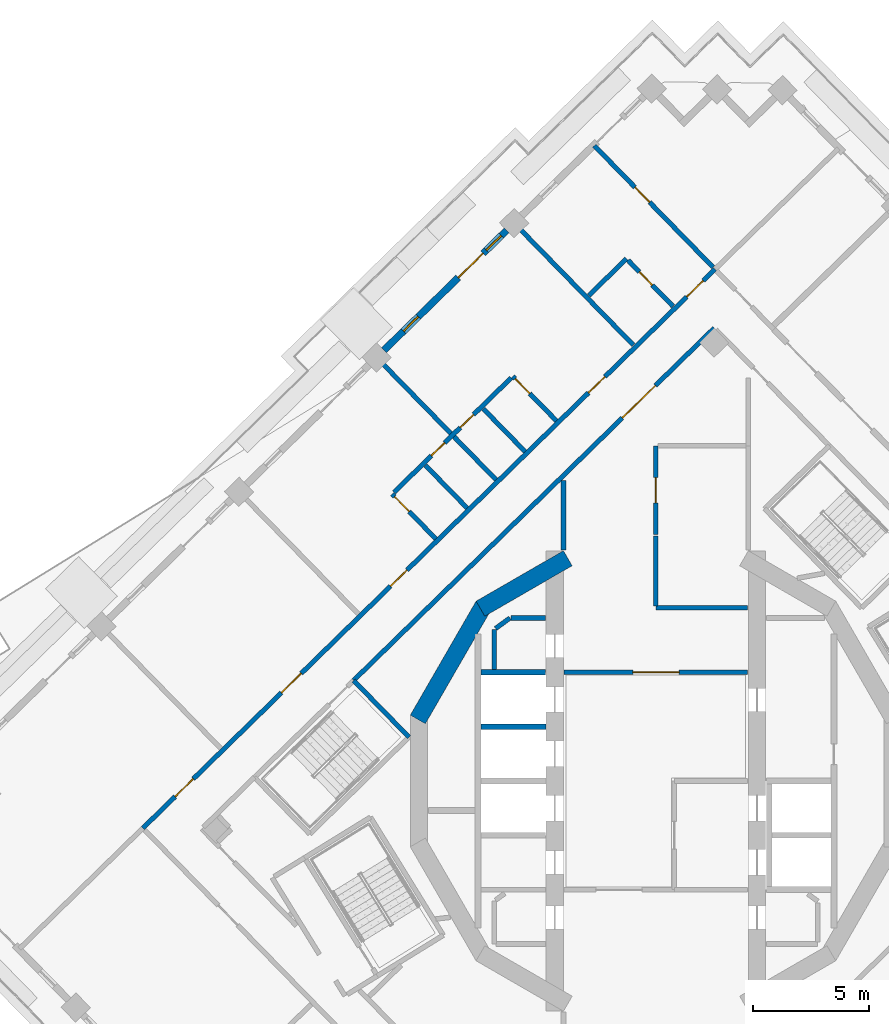
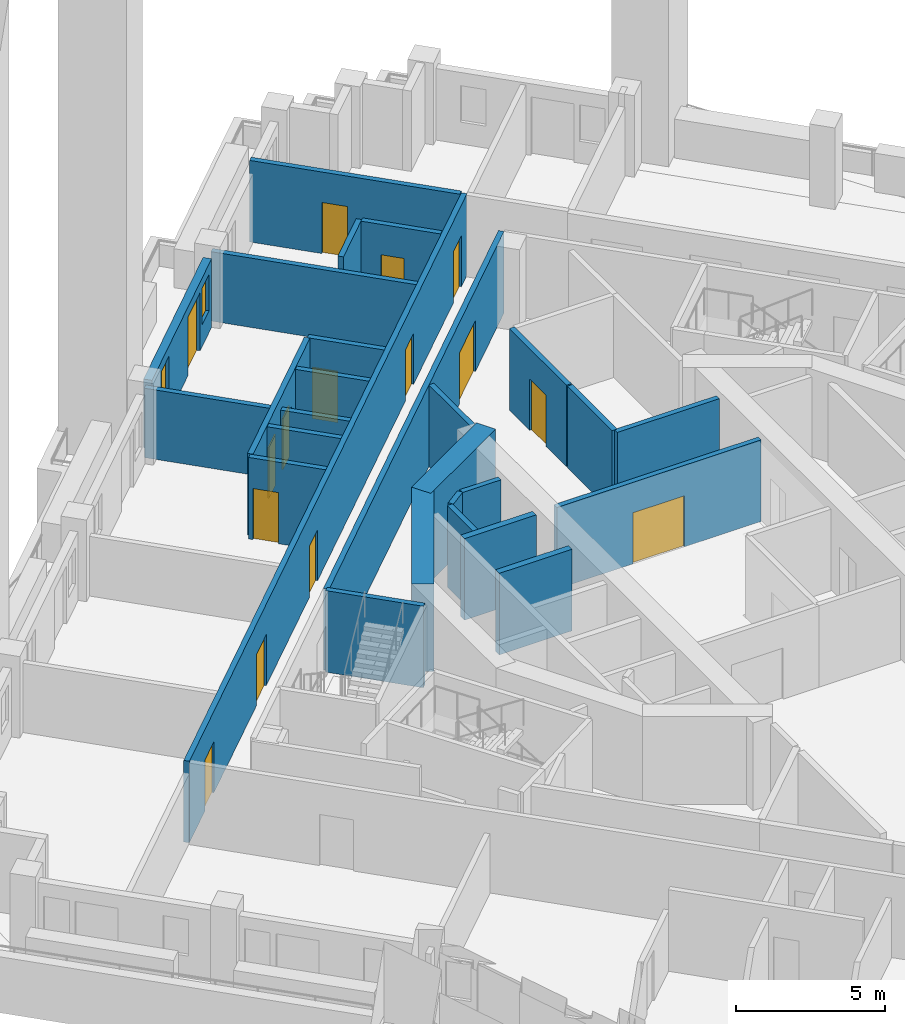
# One storey, part 7 of 17: 26 walls, 15 doors, 2 windows, 17 openings.
"""IFC4 building model written with IfcOpenShell, lengths in metres."""

from ifc_helpers import new_model, si_unit, direction, frame, frame_2d, origin, place, context, subcontext, project, spatial, rectangle, extrude, material, layer, layer_set, type_object, element, fill, save


model = new_model("IFC4")

# Units and contexts
model_context = context("Model", 3, precision=1e-05, world=origin(), true_north=direction((0.0, 1.0)))
body_context = subcontext(model_context, "Body", "Model", "MODEL_VIEW")
ifc_project = project(units=[si_unit("LENGTHUNIT", "METRE"), si_unit("AREAUNIT", "SQUARE_METRE"), si_unit("VOLUMEUNIT", "CUBIC_METRE"), si_unit("PLANEANGLEUNIT", "RADIAN"), si_unit("MASSUNIT", "GRAM", prefix="KILO")], contexts=[model_context])

# Site, building, storey
site_placement = place(None, origin())
site = spatial("IfcSite", under=ifc_project, at=site_placement, CompositionType="ELEMENT")
building_placement = place(site_placement, origin())
building = spatial("IfcBuilding", under=site, at=building_placement, Name="Cantera Rosa Tower", CompositionType="ELEMENT")
storey_placement = place(building_placement, frame((0.0, 0.0, 205.39990234375)))
storey = spatial("IfcBuildingStorey", under=building, at=storey_placement, Name="L43", CompositionType="ELEMENT", Elevation=205.39990234375)

# Wall
ifc_material_1 = material(Name="Gypsum board partition")
ifc_layer_1 = layer(ifc_material_1, 0.199951171875)
ifc_layer_set_1 = layer_set([ifc_layer_1], Name="CORRIDOR WALL 200 H3350")
wall_type_1 = type_object("IfcWallType", Name="CORRIDOR WALL 200 H3350", PredefinedType="PARTITIONING", material=ifc_layer_set_1)
wall_1_placement = place(storey_placement, frame((-4.0, 9.994140625, 0.0), z_axis=(0.0, 0.0, 1.0), x_axis=(0.0, 1.0, 0.0)))
element("IfcWall", 1, at=wall_1_placement, inside=storey, type_object=wall_type_1, Name="CORRIDOR WALL L43-058", PredefinedType="PARTITIONING", context=body_context, shape_type="SweptSolid", body=[
    extrude(rectangle(XDim=3.00390625, YDim=0.199951171875, at=frame_2d((1.501953125, 0.0))), origin(), (0.0, 0.0, 1.0), 3.35009765625),
])

# Wall, opening, door
wall_2_placement = place(storey_placement, frame((-3.969970703125, 4.699951171875, 0.0), z_axis=(0.0, 0.0, 1.0), x_axis=(1.0, 0.0, 0.0)))
wall_2 = element("IfcWall", 2, at=wall_2_placement, inside=storey, type_object=wall_type_1, Name="CORRIDOR WALL L43-059", PredefinedType="PARTITIONING", context=body_context, shape_type="SweptSolid", body=[
    extrude(rectangle(XDim=7.93994140625, YDim=0.199951171875, at=frame_2d((3.969970703125, 0.0))), origin(), (0.0, 0.0, 1.0), 3.35009765625),
])
opening_1_placement = place(wall_2_placement, frame((2.969970703125, 0.0, 0.0)))
opening_1 = element("IfcOpeningElement", 3, at=opening_1_placement, cuts=wall_2, Name="Opening L43-013", PredefinedType="OPENING", context=body_context, shape_type="SweptSolid", body=[
    extrude(rectangle(XDim=2.0, YDim=2.10009765625, at=frame_2d((1.0, 1.050048828125))), frame((0.0, 0.10986328125, 0.0), z_axis=(0.0, -1.0, 0.0), x_axis=(1.0, 0.0, 0.0)), (0.0, 0.0, 1.0), 0.219970703125),
])
ifc_material_2 = material(Name="Steel S355J2 (EN 10025-2)", Category="steel")
door_type_1 = type_object("IfcDoorType", Name="LOBBY SCREEN DOOR 2000x2100", OperationType="NOTDEFINED", PredefinedType="DOOR", material=ifc_material_2)
door_1_placement = place(opening_1_placement, origin())
door_1 = element("IfcDoor", 4, at=door_1_placement, inside=storey, type_object=door_type_1, Name="DOOR L43-013", OperationType="NOTDEFINED", OverallHeight=2.10009765625, OverallWidth=2.0, PredefinedType="DOOR", context=body_context, shape_type="SweptSolid", body=[
    extrude(rectangle(XDim=2.0, YDim=2.10009765625, at=frame_2d((1.0, 1.050048828125))), frame((0.0, 0.02490234375, 0.0), z_axis=(0.0, -1.0, 0.0), x_axis=(1.0, 0.0, 0.0)), (0.0, 0.0, 1.0), 0.050048828125),
])
fill(opening_1, door_1)

# Walls
wall_3_placement = place(storey_placement, frame((0.0, 7.5, 0.0), z_axis=(0.0, 0.0, 1.0), x_axis=(1.0, 0.0, 0.0)))
element("IfcWall", 5, at=wall_3_placement, inside=storey, type_object=wall_type_1, Name="CORRIDOR WALL L43-065", PredefinedType="PARTITIONING", context=body_context, shape_type="SweptSolid", body=[
    extrude(rectangle(XDim=3.969970703125, YDim=0.199951171875, at=frame_2d((1.98486328125, 0.0))), origin(), (0.0, 0.0, 1.0), 3.35009765625),
])
wall_4_placement = place(storey_placement, frame((0.0, 10.59521484375, 0.0), z_axis=(0.0, 0.0, 1.0), x_axis=(0.0, -1.0, 0.0)))
element("IfcWall", 6, at=wall_4_placement, inside=storey, type_object=wall_type_1, Name="CORRIDOR WALL L43-066", PredefinedType="PARTITIONING", context=body_context, shape_type="SweptSolid", body=[
    extrude(rectangle(XDim=3.01513671875, YDim=0.199951171875, at=frame_2d((1.507568359375, 0.0))), origin(), (0.0, 0.0, 1.0), 3.35009765625),
])

# Wall, opening, door
wall_5_placement = place(storey_placement, frame((0.0, 14.5, 0.0), z_axis=(0.0, 0.0, 1.0), x_axis=(0.0, -1.0, 0.0)))
wall_5 = element("IfcWall", 7, at=wall_5_placement, inside=storey, type_object=wall_type_1, Name="CORRIDOR WALL L43-067", PredefinedType="PARTITIONING", context=body_context, shape_type="SweptSolid", body=[
    extrude(rectangle(XDim=3.8447265625, YDim=0.199951171875, at=frame_2d((1.92236328125, 0.0))), origin(), (0.0, 0.0, 1.0), 3.35009765625),
])
opening_2_placement = place(wall_5_placement, frame((1.372314453125, 0.0, 0.0)))
opening_2 = element("IfcOpeningElement", 8, at=opening_2_placement, cuts=wall_5, Name="Opening L43-017", PredefinedType="OPENING", context=body_context, shape_type="SweptSolid", body=[
    extrude(rectangle(XDim=1.10009765625, YDim=2.10009765625, at=frame_2d((0.550048828125, 1.050048828125))), frame((0.0, 0.10986328125, 0.0), z_axis=(0.0, -1.0, 0.0), x_axis=(1.0, 0.0, 0.0)), (0.0, 0.0, 1.0), 0.219970703125),
])
ifc_material_3 = material(Name="Timber door leaf", Category="wood")
door_type_2 = type_object("IfcDoorType", Name="ROOM DOOR 1100x2100", OperationType="NOTDEFINED", PredefinedType="DOOR", material=ifc_material_3)
door_2_placement = place(opening_2_placement, origin())
door_2 = element("IfcDoor", 9, at=door_2_placement, inside=storey, type_object=door_type_2, Name="DOOR L43-017", OperationType="NOTDEFINED", OverallHeight=2.10009765625, OverallWidth=1.10009765625, PredefinedType="DOOR", context=body_context, shape_type="SweptSolid", body=[
    extrude(rectangle(XDim=1.10009765625, YDim=2.10009765625, at=frame_2d((0.550048828125, 1.050048828125))), frame((0.0, 0.02490234375, 0.0), z_axis=(0.0, -1.0, 0.0), x_axis=(1.0, 0.0, 0.0)), (0.0, 0.0, 1.0), 0.050048828125),
])
fill(opening_2, door_2)

wall_6_placement = place(storey_placement, frame((2.5263671875, 19.593994140625, 0.0), z_axis=(0.0, 0.0, 1.0), x_axis=(-0.715295644999, -0.698821966059, 0.0)))
wall_6 = element("IfcWall", 10, at=wall_6_placement, inside=storey, type_object=wall_type_1, Name="CORRIDOR WALL L43-072", PredefinedType="PARTITIONING", context=body_context, shape_type="SweptSolid", body=[
    extrude(rectangle(XDim=21.815185546875, YDim=0.199951171875, at=frame_2d((10.90771484375, 0.0))), origin(), (0.0, 0.0, 1.0), 3.35009765625),
])
opening_3_placement = place(wall_6_placement, frame((3.56201171875, 0.0, 0.0)))
opening_3 = element("IfcOpeningElement", 11, at=opening_3_placement, cuts=wall_6, Name="Opening L43-012", PredefinedType="OPENING", context=body_context, shape_type="SweptSolid", body=[
    extrude(rectangle(XDim=2.0, YDim=2.10009765625, at=frame_2d((1.0, 1.050048828125))), frame((0.0, 0.10986328125, 0.0), z_axis=(0.0, -1.0, 0.0), x_axis=(1.0, 0.0, 0.0)), (0.0, 0.0, 1.0), 0.219970703125),
])
door_3_placement = place(opening_3_placement, origin())
door_3 = element("IfcDoor", 12, at=door_3_placement, inside=storey, type_object=door_type_1, Name="DOOR L43-012", OperationType="NOTDEFINED", OverallHeight=2.10009765625, OverallWidth=2.0, PredefinedType="DOOR", context=body_context, shape_type="SweptSolid", body=[
    extrude(rectangle(XDim=2.0, YDim=2.10009765625, at=frame_2d((1.0, 1.050048828125))), frame((0.0, 0.02490234375, 0.0), z_axis=(0.0, -1.0, 0.0), x_axis=(1.0, 0.0, 0.0)), (0.0, 0.0, 1.0), 0.050048828125),
])
fill(opening_3, door_3)

# Wall, openings, doors
wall_7_placement = place(storey_placement, frame((2.555908203125, 22.1396484375, 0.0), z_axis=(0.0, 0.0, 1.0), x_axis=(-0.715286274513, -0.698831557311, 0.0)))
wall_7 = element("IfcWall", 13, at=wall_7_placement, inside=storey, type_object=wall_type_1, Name="CORRIDOR WALL L43-073", PredefinedType="PARTITIONING", context=body_context, shape_type="SweptSolid", body=[
    extrude(rectangle(XDim=34.60009765625, YDim=0.199951171875, at=frame_2d((17.300048828125, 0.0))), origin(), (0.0, 0.0, 1.0), 3.35009765625),
])
opening_4_placement = place(wall_7_placement, frame((6.655029296875, 0.0, 0.0)))
opening_4 = element("IfcOpeningElement", 14, at=opening_4_placement, cuts=wall_7, Name="Opening L43-027", PredefinedType="OPENING", context=body_context, shape_type="SweptSolid", body=[
    extrude(rectangle(XDim=1.0, YDim=2.10009765625, at=frame_2d((0.5, 1.050048828125))), frame((0.0, 0.10986328125, 0.0), z_axis=(0.0, -1.0, 0.0), x_axis=(1.0, 0.0, 0.0)), (0.0, 0.0, 1.0), 0.219970703125),
])
opening_5_placement = place(wall_7_placement, frame((18.625, 0.0, 0.0)))
opening_5 = element("IfcOpeningElement", 15, at=opening_5_placement, cuts=wall_7, Name="Opening L43-030", PredefinedType="OPENING", context=body_context, shape_type="SweptSolid", body=[
    extrude(rectangle(XDim=1.0, YDim=2.10009765625, at=frame_2d((0.5, 1.050048828125))), frame((0.0, 0.10986328125, 0.0), z_axis=(0.0, -1.0, 0.0), x_axis=(1.0, 0.0, 0.0)), (0.0, 0.0, 1.0), 0.219970703125),
])
opening_6_placement = place(wall_7_placement, frame((25.02001953125, 0.0, 0.0)))
opening_6 = element("IfcOpeningElement", 16, at=opening_6_placement, cuts=wall_7, Name="Opening L43-033", PredefinedType="OPENING", context=body_context, shape_type="SweptSolid", body=[
    extrude(rectangle(XDim=1.199951171875, YDim=2.10009765625, at=frame_2d((0.60009765625, 1.050048828125))), frame((0.0, 0.10986328125, 0.0), z_axis=(0.0, -1.0, 0.0), x_axis=(1.0, 0.0, 0.0)), (0.0, 0.0, 1.0), 0.219970703125),
])
opening_7_placement = place(wall_7_placement, frame((0.7099609375, 0.0, 0.0)))
opening_7 = element("IfcOpeningElement", 17, at=opening_7_placement, cuts=wall_7, Name="Opening L43-034", PredefinedType="OPENING", context=body_context, shape_type="SweptSolid", body=[
    extrude(rectangle(XDim=1.0, YDim=2.10009765625, at=frame_2d((0.5, 1.050048828125))), frame((0.0, 0.10986328125, 0.0), z_axis=(0.0, -1.0, 0.0), x_axis=(1.0, 0.0, 0.0)), (0.0, 0.0, 1.0), 0.219970703125),
])
opening_8_placement = place(wall_7_placement, frame((31.550048828125, 0.0, 0.0)))
opening_8 = element("IfcOpeningElement", 18, at=opening_8_placement, cuts=wall_7, Name="Opening L43-037", PredefinedType="OPENING", context=body_context, shape_type="SweptSolid", body=[
    extrude(rectangle(XDim=1.10009765625, YDim=2.10009765625, at=frame_2d((0.550048828125, 1.050048828125))), frame((0.0, 0.10986328125, 0.0), z_axis=(0.0, -1.0, 0.0), x_axis=(1.0, 0.0, 0.0)), (0.0, 0.0, 1.0), 0.219970703125),
])
ifc_material_4 = material(Name="Timber door leaf", Category="wood")
door_type_3 = type_object("IfcDoorType", Name="ENTRANCE DOOR 1000x2100", OperationType="NOTDEFINED", PredefinedType="DOOR", material=ifc_material_4)
door_4_placement = place(opening_4_placement, origin())
door_4 = element("IfcDoor", 19, at=door_4_placement, inside=storey, type_object=door_type_3, Name="DOOR L43-027", OperationType="NOTDEFINED", OverallHeight=2.10009765625, OverallWidth=1.0, PredefinedType="DOOR", context=body_context, shape_type="SweptSolid", body=[
    extrude(rectangle(XDim=1.0, YDim=2.10009765625, at=frame_2d((0.5, 1.050048828125))), frame((0.0, 0.02490234375, 0.0), z_axis=(0.0, -1.0, 0.0), x_axis=(1.0, 0.0, 0.0)), (0.0, 0.0, 1.0), 0.050048828125),
])
fill(opening_4, door_4)
door_5_placement = place(opening_5_placement, origin())
door_5 = element("IfcDoor", 20, at=door_5_placement, inside=storey, type_object=door_type_3, Name="DOOR L43-030", OperationType="NOTDEFINED", OverallHeight=2.10009765625, OverallWidth=1.0, PredefinedType="DOOR", context=body_context, shape_type="SweptSolid", body=[
    extrude(rectangle(XDim=1.0, YDim=2.10009765625, at=frame_2d((0.5, 1.050048828125))), frame((0.0, 0.02490234375, 0.0), z_axis=(0.0, -1.0, 0.0), x_axis=(1.0, 0.0, 0.0)), (0.0, 0.0, 1.0), 0.050048828125),
])
fill(opening_5, door_5)
door_6_placement = place(opening_7_placement, origin())
door_6 = element("IfcDoor", 21, at=door_6_placement, inside=storey, type_object=door_type_3, Name="DOOR L43-034", OperationType="NOTDEFINED", OverallHeight=2.10009765625, OverallWidth=1.0, PredefinedType="DOOR", context=body_context, shape_type="SweptSolid", body=[
    extrude(rectangle(XDim=1.0, YDim=2.10009765625, at=frame_2d((0.5, 1.050048828125))), frame((0.0, 0.02490234375, 0.0), z_axis=(0.0, -1.0, 0.0), x_axis=(1.0, 0.0, 0.0)), (0.0, 0.0, 1.0), 0.050048828125),
])
fill(opening_7, door_6)
door_7_placement = place(opening_8_placement, origin())
door_7 = element("IfcDoor", 22, at=door_7_placement, inside=storey, type_object=door_type_2, Name="DOOR L43-037", OperationType="NOTDEFINED", OverallHeight=2.10009765625, OverallWidth=1.10009765625, PredefinedType="DOOR", context=body_context, shape_type="SweptSolid", body=[
    extrude(rectangle(XDim=1.10009765625, YDim=2.10009765625, at=frame_2d((0.550048828125, 1.050048828125))), frame((0.0, 0.02490234375, 0.0), z_axis=(0.0, -1.0, 0.0), x_axis=(1.0, 0.0, 0.0)), (0.0, 0.0, 1.0), 0.050048828125),
])
fill(opening_8, door_7)
ifc_material_5 = material(Name="Timber door leaf", Category="wood")
door_type_4 = type_object("IfcDoorType", Name="ROOM DOOR 1200x2100", OperationType="NOTDEFINED", PredefinedType="DOOR", material=ifc_material_5)
door_8_placement = place(opening_6_placement, origin())
door_8 = element("IfcDoor", 23, at=door_8_placement, inside=storey, type_object=door_type_4, Name="DOOR L43-033", OperationType="NOTDEFINED", OverallHeight=2.10009765625, OverallWidth=1.199951171875, PredefinedType="DOOR", context=body_context, shape_type="SweptSolid", body=[
    extrude(rectangle(XDim=1.199951171875, YDim=2.10009765625, at=frame_2d((0.60009765625, 1.050048828125))), frame((0.0, 0.02490234375, 0.0), z_axis=(0.0, -1.0, 0.0), x_axis=(1.0, 0.0, 0.0)), (0.0, 0.0, 1.0), 0.050048828125),
])
fill(opening_6, door_8)

# Wall, openings, windows, door
ifc_material_6 = material(Name="Hollow clay masonry with cantera stone cladding", Category="masonry")
ifc_layer_2 = layer(ifc_material_6, 0.300048828125)
ifc_layer_set_2 = layer_set([ifc_layer_2], Name="EW-LOGGIA 300 H2820")
wall_type_2 = type_object("IfcWallType", Name="EW-LOGGIA 300 H2820", PredefinedType="SOLIDWALL", material=ifc_layer_set_2)
wall_8_placement = place(storey_placement, frame((-6.454833984375, 23.8212890625, 0.0), z_axis=(0.0, 0.0, 1.0), x_axis=(-0.715300826176, -0.698816662703, 0.0)))
wall_8 = element("IfcWall", 24, at=wall_8_placement, inside=storey, type_object=wall_type_2, Name="EN-L43-W08", PredefinedType="SOLIDWALL", context=body_context, shape_type="SweptSolid", body=[
    extrude(rectangle(XDim=7.420166015625, YDim=0.300048828125, at=frame_2d((3.7099609375, 0.0))), origin(), (0.0, 0.0, 1.0), 2.820068359375),
])
opening_9_placement = place(wall_8_placement, frame((0.330078125, 0.0, 0.89990234375)))
opening_9 = element("IfcOpeningElement", 25, at=opening_9_placement, cuts=wall_8, Name="Opening L43-W10", PredefinedType="OPENING", context=body_context, shape_type="SweptSolid", body=[
    extrude(rectangle(XDim=0.89990234375, YDim=1.5, at=frame_2d((0.449951171875, 0.75))), frame((0.0, 0.159912109375, 0.0), z_axis=(0.0, -1.0, 0.0), x_axis=(1.0, 0.0, 0.0)), (0.0, 0.0, 1.0), 0.320068359375),
])
opening_10_placement = place(wall_8_placement, frame((1.429931640625, 0.0, 0.0)))
opening_10 = element("IfcOpeningElement", 26, at=opening_10_placement, cuts=wall_8, Name="Opening L43-TD11", PredefinedType="OPENING", context=body_context, shape_type="SweptSolid", body=[
    extrude(rectangle(XDim=1.5, YDim=2.39990234375, at=frame_2d((0.75, 1.199951171875))), frame((0.0, 0.159912109375, 0.0), z_axis=(0.0, -1.0, 0.0), x_axis=(1.0, 0.0, 0.0)), (0.0, 0.0, 1.0), 0.320068359375),
])
opening_11_placement = place(wall_8_placement, frame((5.340087890625, 0.0, 0.89990234375)))
opening_11 = element("IfcOpeningElement", 27, at=opening_11_placement, cuts=wall_8, Name="Opening L43-W12", PredefinedType="OPENING", context=body_context, shape_type="SweptSolid", body=[
    extrude(rectangle(XDim=0.89990234375, YDim=1.5, at=frame_2d((0.449951171875, 0.75))), frame((0.0, 0.159912109375, 0.0), z_axis=(0.0, -1.0, 0.0), x_axis=(1.0, 0.0, 0.0)), (0.0, 0.0, 1.0), 0.320068359375),
])
ifc_material_7 = material(Name="Aluminium frame with clear glass", Category="aluminium")
window_type = type_object("IfcWindowType", Name="Residential window 900x1500", PartitioningType="SINGLE_PANEL", PredefinedType="WINDOW", material=ifc_material_7)
window_1_placement = place(opening_9_placement, origin())
window_1 = element("IfcWindow", 28, at=window_1_placement, inside=storey, type_object=window_type, Name="WINDOW L43-W10", OverallHeight=1.5, OverallWidth=0.89990234375, PartitioningType="SINGLE_PANEL", PredefinedType="WINDOW", context=body_context, shape_type="SweptSolid", body=[
    extrude(rectangle(XDim=0.89990234375, YDim=1.5, at=frame_2d((0.449951171875, 0.75))), frame((0.0, 0.030029296875, 0.0), z_axis=(0.0, -1.0, 0.0), x_axis=(1.0, 0.0, 0.0)), (0.0, 0.0, 1.0), 0.06005859375),
])
fill(opening_9, window_1)
window_2_placement = place(opening_11_placement, origin())
window_2 = element("IfcWindow", 29, at=window_2_placement, inside=storey, type_object=window_type, Name="WINDOW L43-W12", OverallHeight=1.5, OverallWidth=0.89990234375, PartitioningType="SINGLE_PANEL", PredefinedType="WINDOW", context=body_context, shape_type="SweptSolid", body=[
    extrude(rectangle(XDim=0.89990234375, YDim=1.5, at=frame_2d((0.449951171875, 0.75))), frame((0.0, 0.030029296875, 0.0), z_axis=(0.0, -1.0, 0.0), x_axis=(1.0, 0.0, 0.0)), (0.0, 0.0, 1.0), 0.06005859375),
])
fill(opening_11, window_2)
ifc_material_8 = material(Name="Aluminium frame with clear glass", Category="aluminium")
door_type_5 = type_object("IfcDoorType", Name="TD-R 1500x2400", OperationType="NOTDEFINED", PredefinedType="DOOR", material=ifc_material_8)
door_9_placement = place(opening_10_placement, origin())
door_9 = element("IfcDoor", 30, at=door_9_placement, inside=storey, type_object=door_type_5, Name="LOGGIA DOOR L43-TD11", OperationType="SLIDING_TO_LEFT", OverallHeight=2.39990234375, OverallWidth=1.5, PredefinedType="DOOR", context=body_context, shape_type="SweptSolid", body=[
    extrude(rectangle(XDim=1.5, YDim=2.39990234375, at=frame_2d((0.75, 1.199951171875))), frame((0.0, 0.02490234375, 0.0), z_axis=(0.0, -1.0, 0.0), x_axis=(1.0, 0.0, 0.0)), (0.0, 0.0, 1.0), 0.050048828125),
])
fill(opening_10, door_9)

# Wall, openings, doors
ifc_material_9 = material(Name="Gypsum board partition")
ifc_layer_3 = layer(ifc_material_9, 0.199951171875)
ifc_layer_set_3 = layer_set([ifc_layer_3], Name="PARTITION 200 H3350")
wall_type_3 = type_object("IfcWallType", Name="PARTITION 200 H3350", PredefinedType="PARTITIONING", material=ifc_layer_set_3)
wall_9_placement = place(storey_placement, frame((-11.32470703125, 12.492919921875, 0.0), z_axis=(0.0, 0.0, 1.0), x_axis=(0.71528317441, 0.698834730395, 0.0)))
wall_9 = element("IfcWall", 31, at=wall_9_placement, inside=storey, type_object=wall_type_3, Name="PARTITION L43-026", PredefinedType="PARTITIONING", context=body_context, shape_type="SweptSolid", body=[
    extrude(rectangle(XDim=7.080078125, YDim=0.199951171875, at=frame_2d((3.5400390625, 0.0))), origin(), (0.0, 0.0, 1.0), 3.35009765625),
])
opening_12_placement = place(wall_9_placement, frame((4.0048828125, 0.0, 0.0)))
opening_12 = element("IfcOpeningElement", 32, at=opening_12_placement, cuts=wall_9, Name="Opening L43-028", PredefinedType="OPENING", context=body_context, shape_type="SweptSolid", body=[
    extrude(rectangle(XDim=0.800048828125, YDim=2.10009765625, at=frame_2d((0.39990234375, 1.050048828125))), frame((0.0, 0.10986328125, 0.0), z_axis=(0.0, -1.0, 0.0), x_axis=(1.0, 0.0, 0.0)), (0.0, 0.0, 1.0), 0.219970703125),
])
opening_13_placement = place(wall_9_placement, frame((2.2548828125, 0.0, 0.0)))
opening_13 = element("IfcOpeningElement", 33, at=opening_13_placement, cuts=wall_9, Name="Opening L43-031", PredefinedType="OPENING", context=body_context, shape_type="SweptSolid", body=[
    extrude(rectangle(XDim=0.800048828125, YDim=2.10009765625, at=frame_2d((0.39990234375, 1.050048828125))), frame((0.0, 0.10986328125, 0.0), z_axis=(0.0, -1.0, 0.0), x_axis=(1.0, 0.0, 0.0)), (0.0, 0.0, 1.0), 0.219970703125),
])
ifc_material_10 = material(Name="Timber door leaf", Category="wood")
door_type_6 = type_object("IfcDoorType", Name="BATHROOM DOOR 800x2100", OperationType="NOTDEFINED", PredefinedType="DOOR", material=ifc_material_10)
door_10_placement = place(opening_12_placement, origin())
door_10 = element("IfcDoor", 34, at=door_10_placement, inside=storey, type_object=door_type_6, Name="DOOR L43-028", OperationType="NOTDEFINED", OverallHeight=2.10009765625, OverallWidth=0.800048828125, PredefinedType="DOOR", context=body_context, shape_type="SweptSolid", body=[
    extrude(rectangle(XDim=0.800048828125, YDim=2.10009765625, at=frame_2d((0.39990234375, 1.050048828125))), frame((0.0, 0.02490234375, 0.0), z_axis=(0.0, -1.0, 0.0), x_axis=(1.0, 0.0, 0.0)), (0.0, 0.0, 1.0), 0.050048828125),
])
fill(opening_12, door_10)
door_11_placement = place(opening_13_placement, origin())
door_11 = element("IfcDoor", 35, at=door_11_placement, inside=storey, type_object=door_type_6, Name="DOOR L43-031", OperationType="NOTDEFINED", OverallHeight=2.10009765625, OverallWidth=0.800048828125, PredefinedType="DOOR", context=body_context, shape_type="SweptSolid", body=[
    extrude(rectangle(XDim=0.800048828125, YDim=2.10009765625, at=frame_2d((0.39990234375, 1.050048828125))), frame((0.0, 0.02490234375, 0.0), z_axis=(0.0, -1.0, 0.0), x_axis=(1.0, 0.0, 0.0)), (0.0, 0.0, 1.0), 0.050048828125),
])
fill(opening_13, door_11)

# Wall, opening, door
wall_10_placement = place(storey_placement, frame((-9.523681640625, 10.477783203125, 0.0), z_axis=(0.0, 0.0, 1.0), x_axis=(-0.69882992157, 0.715287872621, 0.0)))
wall_10 = element("IfcWall", 36, at=wall_10_placement, inside=storey, type_object=wall_type_3, Name="PARTITION L43-029", PredefinedType="PARTITIONING", context=body_context, shape_type="SweptSolid", body=[
    extrude(rectangle(XDim=2.69970703125, YDim=0.199951171875, at=frame_2d((1.349853515625, 0.0))), origin(), (0.0, 0.0, 1.0), 3.35009765625),
])
opening_14_placement = place(wall_10_placement, frame((1.64990234375, 0.0, 0.0)))
opening_14 = element("IfcOpeningElement", 37, at=opening_14_placement, cuts=wall_10, Name="Opening L43-032", PredefinedType="OPENING", context=body_context, shape_type="SweptSolid", body=[
    extrude(rectangle(XDim=0.89990234375, YDim=2.10009765625, at=frame_2d((0.449951171875, 1.050048828125))), frame((0.0, 0.10986328125, 0.0), z_axis=(0.0, -1.0, 0.0), x_axis=(1.0, 0.0, 0.0)), (0.0, 0.0, 1.0), 0.219970703125),
])
ifc_material_11 = material(Name="Timber door leaf", Category="wood")
door_type_7 = type_object("IfcDoorType", Name="ROOM DOOR 900x2100", OperationType="NOTDEFINED", PredefinedType="DOOR", material=ifc_material_11)
door_12_placement = place(opening_14_placement, origin())
door_12 = element("IfcDoor", 38, at=door_12_placement, inside=storey, type_object=door_type_7, Name="DOOR L43-032", OperationType="NOTDEFINED", OverallHeight=2.10009765625, OverallWidth=0.89990234375, PredefinedType="DOOR", context=body_context, shape_type="SweptSolid", body=[
    extrude(rectangle(XDim=0.89990234375, YDim=2.10009765625, at=frame_2d((0.449951171875, 1.050048828125))), frame((0.0, 0.02490234375, 0.0), z_axis=(0.0, -1.0, 0.0), x_axis=(1.0, 0.0, 0.0)), (0.0, 0.0, 1.0), 0.050048828125),
])
fill(opening_14, door_12)

# Walls
wall_11_placement = place(storey_placement, frame((-8.16455078125, 11.805419921875, 0.0), z_axis=(0.0, 0.0, 1.0), x_axis=(-0.698826236875, 0.715291472517, 0.0)))
element("IfcWall", 39, at=wall_11_placement, inside=storey, type_object=wall_type_3, Name="PARTITION L43-034", PredefinedType="PARTITIONING", context=body_context, shape_type="SweptSolid", body=[
    extrude(rectangle(XDim=2.580078125, YDim=0.199951171875, at=frame_2d((1.2900390625, 0.0))), origin(), (0.0, 0.0, 1.0), 3.35009765625),
])
wall_12_placement = place(storey_placement, frame((-7.464111328125, 16.0966796875, 0.0), z_axis=(0.0, 0.0, 1.0), x_axis=(0.698873539617, -0.715245255575, 0.0)))
element("IfcWall", 40, at=wall_12_placement, inside=storey, type_object=wall_type_3, Name="PARTITION L43-041", PredefinedType="PARTITIONING", context=body_context, shape_type="SweptSolid", body=[
    extrude(rectangle(XDim=2.579833984375, YDim=0.199951171875, at=frame_2d((1.2900390625, 0.0))), origin(), (0.0, 0.0, 1.0), 3.35009765625),
])
wall_13_placement = place(storey_placement, frame((-7.0, 4.824951171875, 0.0), z_axis=(0.0, 0.0, 1.0), x_axis=(0.0, 1.0, 0.0)))
element("IfcWall", 41, at=wall_13_placement, inside=storey, type_object=wall_type_3, Name="PARTITION L43-045", PredefinedType="PARTITIONING", context=body_context, shape_type="SweptSolid", body=[
    extrude(rectangle(XDim=1.72509765625, YDim=0.199951171875, at=frame_2d((0.862548828125, 0.0))), origin(), (0.0, 0.0, 1.0), 3.35009765625),
])
wall_14_placement = place(storey_placement, frame((-6.935302734375, 6.59716796875, 0.0), z_axis=(0.0, 0.0, 1.0), x_axis=(0.808227862651, 0.588869868506, 0.0)))
element("IfcWall", 42, at=wall_14_placement, inside=storey, type_object=wall_type_3, Name="PARTITION L43-046", PredefinedType="PARTITIONING", context=body_context, shape_type="SweptSolid", body=[
    extrude(rectangle(XDim=0.76904296875, YDim=0.199951171875, at=frame_2d((0.384521484375, 0.0))), origin(), (0.0, 0.0, 1.0), 3.35009765625),
])
wall_15_placement = place(storey_placement, frame((-6.273681640625, 7.050048828125, 0.0), z_axis=(0.0, 0.0, 1.0), x_axis=(1.0, 0.0, 0.0)))
element("IfcWall", 43, at=wall_15_placement, inside=storey, type_object=wall_type_3, Name="PARTITION L43-048", PredefinedType="PARTITIONING", context=body_context, shape_type="SweptSolid", body=[
    extrude(rectangle(XDim=1.49365234375, YDim=0.199951171875, at=frame_2d((0.746826171875, 0.0))), origin(), (0.0, 0.0, 1.0), 3.35009765625),
])

# Wall, opening, door
wall_16_placement = place(storey_placement, frame((-6.18896484375, 17.510498046875, 0.0), z_axis=(0.0, 0.0, 1.0), x_axis=(0.69883098597, -0.71528683271, 0.0)))
wall_16 = element("IfcWall", 44, at=wall_16_placement, inside=storey, type_object=wall_type_3, Name="PARTITION L43-049", PredefinedType="PARTITIONING", context=body_context, shape_type="SweptSolid", body=[
    extrude(rectangle(XDim=2.7001953125, YDim=0.199951171875, at=frame_2d((1.35009765625, 0.0))), origin(), (0.0, 0.0, 1.0), 3.35009765625),
])
opening_15_placement = place(wall_16_placement, frame((0.14990234375, 0.0, 0.0)))
opening_15 = element("IfcOpeningElement", 45, at=opening_15_placement, cuts=wall_16, Name="Opening L43-029", PredefinedType="OPENING", context=body_context, shape_type="SweptSolid", body=[
    extrude(rectangle(XDim=0.89990234375, YDim=2.10009765625, at=frame_2d((0.449951171875, 1.050048828125))), frame((0.0, 0.10986328125, 0.0), z_axis=(0.0, -1.0, 0.0), x_axis=(1.0, 0.0, 0.0)), (0.0, 0.0, 1.0), 0.219970703125),
])
door_13_placement = place(opening_15_placement, origin())
door_13 = element("IfcDoor", 46, at=door_13_placement, inside=storey, type_object=door_type_7, Name="DOOR L43-029", OperationType="NOTDEFINED", OverallHeight=2.10009765625, OverallWidth=0.89990234375, PredefinedType="DOOR", context=body_context, shape_type="SweptSolid", body=[
    extrude(rectangle(XDim=0.89990234375, YDim=2.10009765625, at=frame_2d((0.449951171875, 1.050048828125))), frame((0.0, 0.02490234375, 0.0), z_axis=(0.0, -1.0, 0.0), x_axis=(1.0, 0.0, 0.0)), (0.0, 0.0, 1.0), 0.050048828125),
])
fill(opening_15, door_13)

# Wall
wall_17_placement = place(storey_placement, frame((-2.902587890625, 21.0009765625, 0.0), z_axis=(0.0, 0.0, 1.0), x_axis=(0.715356263827, 0.698759912848, 0.0)))
element("IfcWall", 47, at=wall_17_placement, inside=storey, type_object=wall_type_3, Name="PARTITION L43-060", PredefinedType="PARTITIONING", context=body_context, shape_type="SweptSolid", body=[
    extrude(rectangle(XDim=2.280029296875, YDim=0.199951171875, at=frame_2d((1.14013671875, 0.0))), origin(), (0.0, 0.0, 1.0), 3.35009765625),
])

# Wall, opening, door
wall_18_placement = place(storey_placement, frame((-1.20166015625, 22.522705078125, 0.0), z_axis=(0.0, 0.0, 1.0), x_axis=(0.698803279279, -0.715313900934, 0.0)))
wall_18 = element("IfcWall", 48, at=wall_18_placement, inside=storey, type_object=wall_type_3, Name="PARTITION L43-064", PredefinedType="PARTITIONING", context=body_context, shape_type="SweptSolid", body=[
    extrude(rectangle(XDim=2.780029296875, YDim=0.199951171875, at=frame_2d((1.39013671875, 0.0))), origin(), (0.0, 0.0, 1.0), 3.35009765625),
])
opening_16_placement = place(wall_18_placement, frame((0.699951171875, 0.0, 0.0)))
opening_16 = element("IfcOpeningElement", 49, at=opening_16_placement, cuts=wall_18, Name="Opening L43-035", PredefinedType="OPENING", context=body_context, shape_type="SweptSolid", body=[
    extrude(rectangle(XDim=0.800048828125, YDim=2.10009765625, at=frame_2d((0.39990234375, 1.050048828125))), frame((0.0, 0.10986328125, 0.0), z_axis=(0.0, -1.0, 0.0), x_axis=(1.0, 0.0, 0.0)), (0.0, 0.0, 1.0), 0.219970703125),
])
door_14_placement = place(opening_16_placement, origin())
door_14 = element("IfcDoor", 50, at=door_14_placement, inside=storey, type_object=door_type_6, Name="DOOR L43-035", OperationType="NOTDEFINED", OverallHeight=2.10009765625, OverallWidth=0.800048828125, PredefinedType="DOOR", context=body_context, shape_type="SweptSolid", body=[
    extrude(rectangle(XDim=0.800048828125, YDim=2.10009765625, at=frame_2d((0.39990234375, 1.050048828125))), frame((0.0, 0.02490234375, 0.0), z_axis=(0.0, -1.0, 0.0), x_axis=(1.0, 0.0, 0.0)), (0.0, 0.0, 1.0), 0.050048828125),
])
fill(opening_16, door_14)

wall_19_placement = place(storey_placement, frame((2.471923828125, 22.225341796875, 0.0), z_axis=(0.0, 0.0, 1.0), x_axis=(-0.698820957739, 0.715296630095, 0.0)))
wall_19 = element("IfcWall", 51, at=wall_19_placement, inside=storey, type_object=wall_type_3, Name="PARTITION L43-074", PredefinedType="PARTITIONING", context=body_context, shape_type="SweptSolid", body=[
    extrude(rectangle(XDim=7.349853515625, YDim=0.199951171875, at=frame_2d((3.6748046875, 0.0))), origin(), (0.0, 0.0, 1.0), 3.35009765625),
])
opening_17_placement = place(wall_19_placement, frame((3.929931640625, 0.0, 0.0)))
opening_17 = element("IfcOpeningElement", 52, at=opening_17_placement, cuts=wall_19, Name="Opening L43-036", PredefinedType="OPENING", context=body_context, shape_type="SweptSolid", body=[
    extrude(rectangle(XDim=0.89990234375, YDim=2.10009765625, at=frame_2d((0.449951171875, 1.050048828125))), frame((0.0, 0.10986328125, 0.0), z_axis=(0.0, -1.0, 0.0), x_axis=(1.0, 0.0, 0.0)), (0.0, 0.0, 1.0), 0.219970703125),
])
door_15_placement = place(opening_17_placement, origin())
door_15 = element("IfcDoor", 53, at=door_15_placement, inside=storey, type_object=door_type_7, Name="DOOR L43-036", OperationType="NOTDEFINED", OverallHeight=2.10009765625, OverallWidth=0.89990234375, PredefinedType="DOOR", context=body_context, shape_type="SweptSolid", body=[
    extrude(rectangle(XDim=0.89990234375, YDim=2.10009765625, at=frame_2d((0.449951171875, 1.050048828125))), frame((0.0, 0.02490234375, 0.0), z_axis=(0.0, -1.0, 0.0), x_axis=(1.0, 0.0, 0.0)), (0.0, 0.0, 1.0), 0.050048828125),
])
fill(opening_17, door_15)

# Walls
ifc_material_12 = material(Name="Gypsum board partition")
ifc_layer_4 = layer(ifc_material_12, 0.199951171875)
ifc_layer_set_4 = layer_set([ifc_layer_4], Name="PARTY WALL 200 H2850")
wall_type_4 = type_object("IfcWallType", Name="PARTY WALL 200 H2850", PredefinedType="PARTITIONING", material=ifc_layer_set_4)
wall_20_placement = place(storey_placement, frame((-6.912841796875, 13.0283203125, 0.0), z_axis=(0.0, 0.0, 1.0), x_axis=(-0.698827041819, 0.715290686101, 0.0)))
element("IfcWall", 54, at=wall_20_placement, inside=storey, type_object=wall_type_4, Name="PARTY WALL L43-047", PredefinedType="PARTITIONING", context=body_context, shape_type="SweptSolid", body=[
    extrude(rectangle(XDim=7.3701171875, YDim=0.199951171875, at=frame_2d((3.68505859375, 0.0))), origin(), (0.0, 0.0, 1.0), 2.85009765625),
])
wall_21_placement = place(storey_placement, frame((-6.112060546875, 24.114501953125, 0.0), z_axis=(0.0, 0.0, 1.0), x_axis=(0.698821349183, -0.715296247667, 0.0)))
element("IfcWall", 55, at=wall_21_placement, inside=storey, type_object=wall_type_4, Name="PARTY WALL L43-050", PredefinedType="PARTITIONING", context=body_context, shape_type="SweptSolid", body=[
    extrude(rectangle(XDim=7.35009765625, YDim=0.199951171875, at=frame_2d((3.675048828125, 0.0))), origin(), (0.0, 0.0, 1.0), 2.85009765625),
])
ifc_material_13 = material(Name="Concrete C60/75", Category="concrete")
ifc_layer_5 = layer(ifc_material_13, 0.75)
ifc_layer_set_5 = layer_set([ifc_layer_5], Name="RC CORE WALL 750 C60/75")
wall_type_5 = type_object("IfcWallType", Name="RC CORE WALL 750 C60/75", PredefinedType="SHEAR", material=ifc_layer_set_5)
wall_22_placement = place(storey_placement, frame((-10.300537109375, 2.659423828125, 0.0), z_axis=(0.0, 0.0, 1.0), x_axis=(0.500021842983, 0.866012792365, 0.0)))
element("IfcWall", 56, at=wall_22_placement, inside=storey, type_object=wall_type_5, Name="CW-W4 L43", PredefinedType="SHEAR", context=body_context, shape_type="SweptSolid", body=[
    extrude(rectangle(XDim=5.694091796875, YDim=0.75, at=frame_2d((2.84716796875, 0.0))), origin(), (0.0, 0.0, 1.0), 3.60009765625),
])
wall_23_placement = place(storey_placement, frame((-7.590576171875, 7.453369140625, 0.0), z_axis=(0.0, 0.0, 1.0), x_axis=(0.866013176292, 0.50002117804, 0.0)))
element("IfcWall", 57, at=wall_23_placement, inside=storey, type_object=wall_type_5, Name="CW-W5 L43", PredefinedType="SHEAR", context=body_context, shape_type="SweptSolid", body=[
    extrude(rectangle(XDim=4.362548828125, YDim=0.75, at=frame_2d((2.18115234375, 0.0))), origin(), (0.0, 0.0, 1.0), 3.60009765625),
])
ifc_material_14 = material(Name="Masonry blockwork", Category="masonry")
ifc_layer_6 = layer(ifc_material_14, 0.25)
ifc_layer_set_6 = layer_set([ifc_layer_6], Name="SHAFT WALL 250 H3350")
wall_type_6 = type_object("IfcWallType", Name="SHAFT WALL 250 H3350", PredefinedType="SOLIDWALL", material=ifc_layer_set_6)
wall_24_placement = place(storey_placement, frame((-7.574951171875, 2.35009765625, 0.0), z_axis=(0.0, 0.0, 1.0), x_axis=(1.0, 0.0, 0.0)))
element("IfcWall", 58, at=wall_24_placement, inside=storey, type_object=wall_type_6, Name="SHAFT WALL L43-038", PredefinedType="SOLIDWALL", context=body_context, shape_type="SweptSolid", body=[
    extrude(rectangle(XDim=2.824951171875, YDim=0.25, at=frame_2d((1.41259765625, 0.0))), origin(), (0.0, 0.0, 1.0), 3.35009765625),
])
wall_25_placement = place(storey_placement, frame((-7.574951171875, 4.699951171875, 0.0), z_axis=(0.0, 0.0, 1.0), x_axis=(1.0, 0.0, 0.0)))
element("IfcWall", 59, at=wall_25_placement, inside=storey, type_object=wall_type_6, Name="SHAFT WALL L43-039", PredefinedType="SOLIDWALL", context=body_context, shape_type="SweptSolid", body=[
    extrude(rectangle(XDim=2.794921875, YDim=0.25, at=frame_2d((1.3974609375, 0.0))), origin(), (0.0, 0.0, 1.0), 3.35009765625),
])
ifc_material_15 = material(Name="Concrete C50/60", Category="concrete")
ifc_layer_7 = layer(ifc_material_15, 0.199951171875)
ifc_layer_set_7 = layer_set([ifc_layer_7], Name="STAIR WALL 200 H3350")
wall_type_7 = type_object("IfcWallType", Name="STAIR WALL 200 H3350", PredefinedType="SOLIDWALL", material=ifc_layer_set_7)
wall_26_placement = place(storey_placement, frame((-13.077880859375, 4.34912109375, 0.0), z_axis=(0.0, 0.0, 1.0), x_axis=(0.698828566482, -0.715289196527, 0.0)))
element("IfcWall", 60, at=wall_26_placement, inside=storey, type_object=wall_type_7, Name="STAIR WALL L43-018", PredefinedType="SOLIDWALL", context=body_context, shape_type="SweptSolid", body=[
    extrude(rectangle(XDim=3.426025390625, YDim=0.199951171875, at=frame_2d((1.712890625, 0.0))), origin(), (0.0, 0.0, 1.0), 3.35009765625),
])

save(model, "model.ifc")
